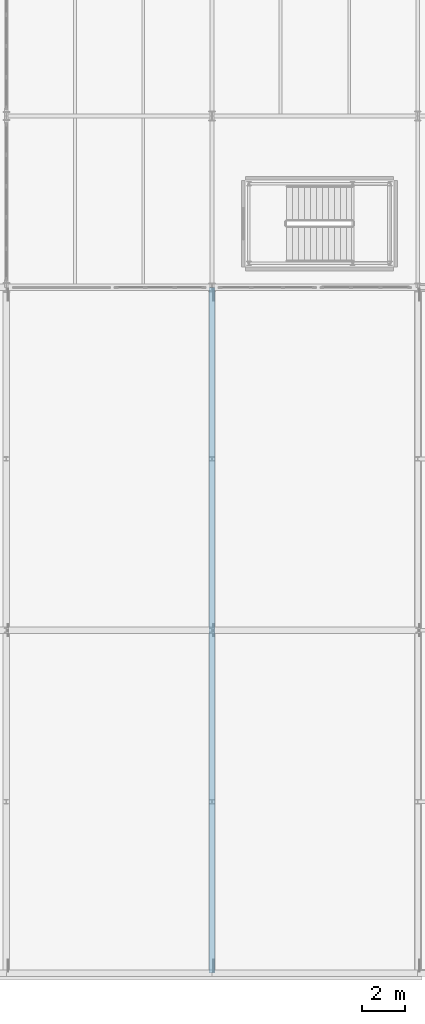
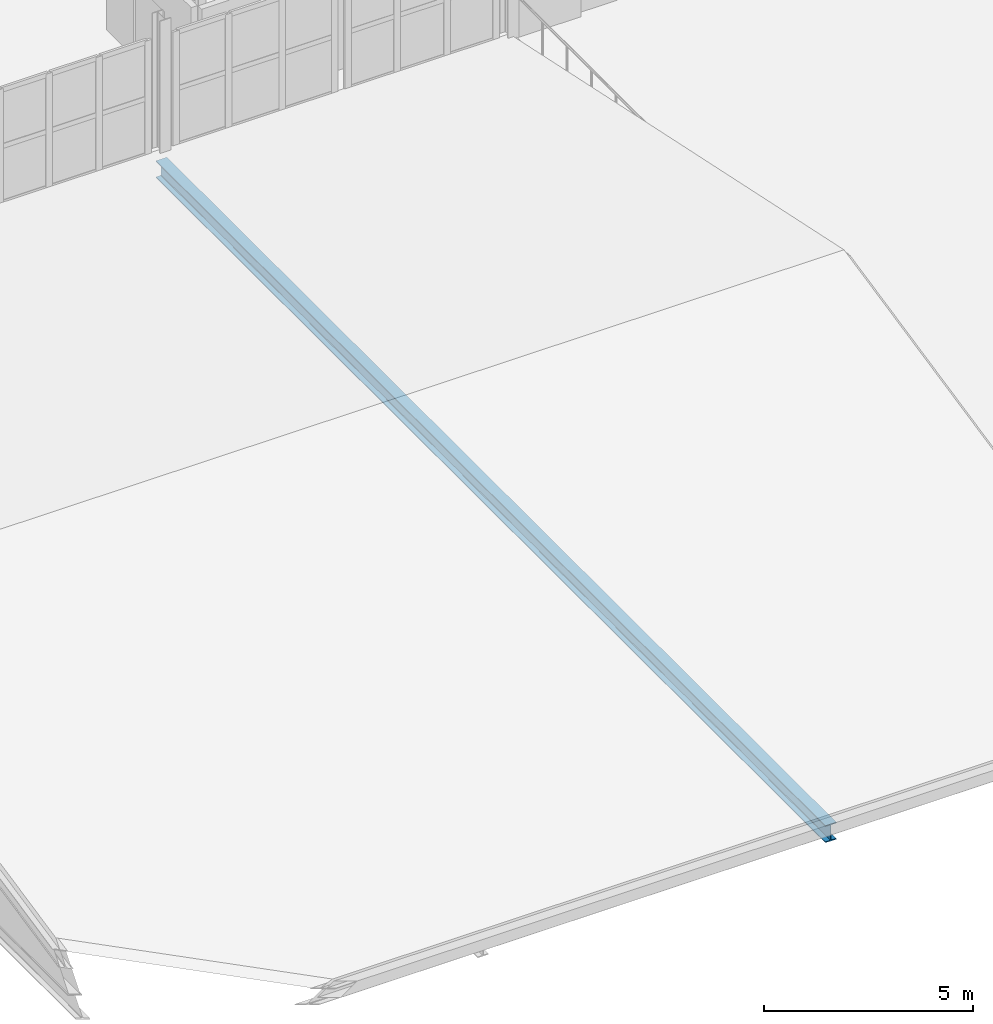
# One storey, part 35 of 85: 1 beam.
"""IFC4 building model written with IfcOpenShell, lengths in metres."""

from ifc_helpers import new_model, si_unit, direction, frame, origin, origin_2d, place, context, subcontext, project, spatial, i_section, extrude, material, material_profile, profile_set, type_object, element, save


model = new_model("IFC4")

# Units and contexts
model_context = context("Model", 3, precision=1e-05, world=origin(), true_north=direction((0.0, 1.0)))
body_context = subcontext(model_context, "Body", "Model", "MODEL_VIEW")
ifc_project = project(units=[si_unit("LENGTHUNIT", "METRE"), si_unit("AREAUNIT", "SQUARE_METRE"), si_unit("VOLUMEUNIT", "CUBIC_METRE"), si_unit("PLANEANGLEUNIT", "RADIAN"), si_unit("MASSUNIT", "GRAM", prefix="KILO")], contexts=[model_context])

# Site, building, storey
site_placement = place(None, origin())
site = spatial("IfcSite", under=ifc_project, at=site_placement, CompositionType="ELEMENT")
building_placement = place(site_placement, origin())
building = spatial("IfcBuilding", under=site, at=building_placement, Name="Alderhovde Museum", CompositionType="ELEMENT")
storey_placement = place(building_placement, frame((0.0, 0.0, 8.699951171875)))
storey = spatial("IfcBuildingStorey", under=building, at=storey_placement, Name="L02", CompositionType="ELEMENT", Elevation=8.699951171875)

# Beam
ifc_material = material(Name="Steel S355J2", Category="steel")
ifc_material_profile = material_profile(ifc_material, i_section(OverallWidth=0.300048828125, OverallDepth=0.5, WebThickness=0.014404296875, FlangeThickness=0.028076171875, FilletRadius=0.027099609375, at=origin_2d()), Name="HEB 500")
ifc_profile_set = profile_set([ifc_material_profile], Name="Steel S355J2")
beam_type = type_object("IfcBeamType", Name="BM-HEB500", PredefinedType="BEAM", material=ifc_profile_set)
beam_placement = place(storey_placement, frame((86.39990234375, 0.0, -0.5), z_axis=(0.0, 1.0, 0.0), x_axis=(-1.0, 0.0, 0.0)))
element("IfcBeam", 1, at=beam_placement, inside=storey, type_object=beam_type, Name="Auditorium Roof Truss X=86.4 Tie", PredefinedType="BEAM", context=body_context, shape_type="SweptSolid", body=[
    extrude(i_section(OverallWidth=0.300048828125, OverallDepth=0.5, WebThickness=0.014404296875, FlangeThickness=0.028076171875, FilletRadius=0.027099609375, at=origin_2d()), origin(), (0.0, 0.0, 1.0), 32.0),
])

save(model, "model.ifc")
